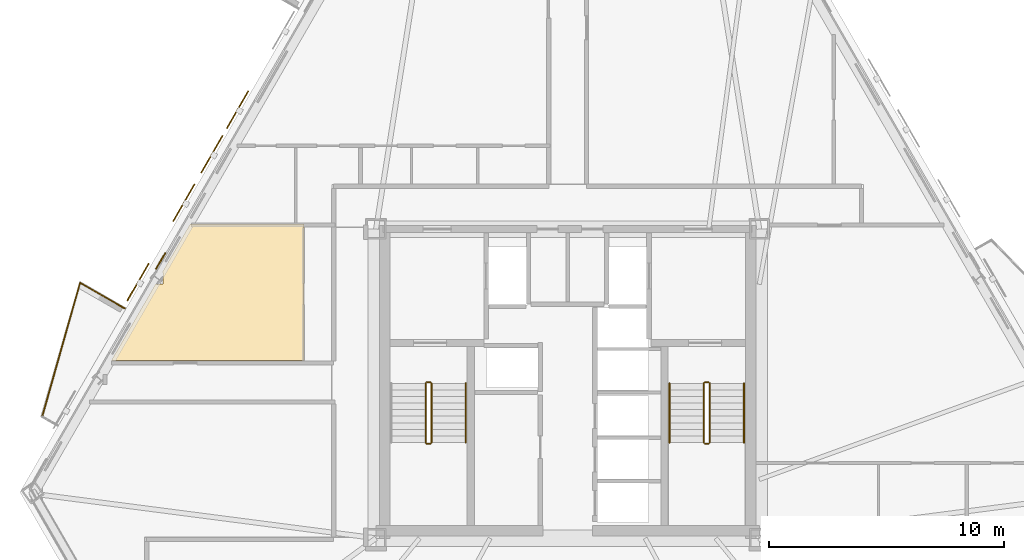
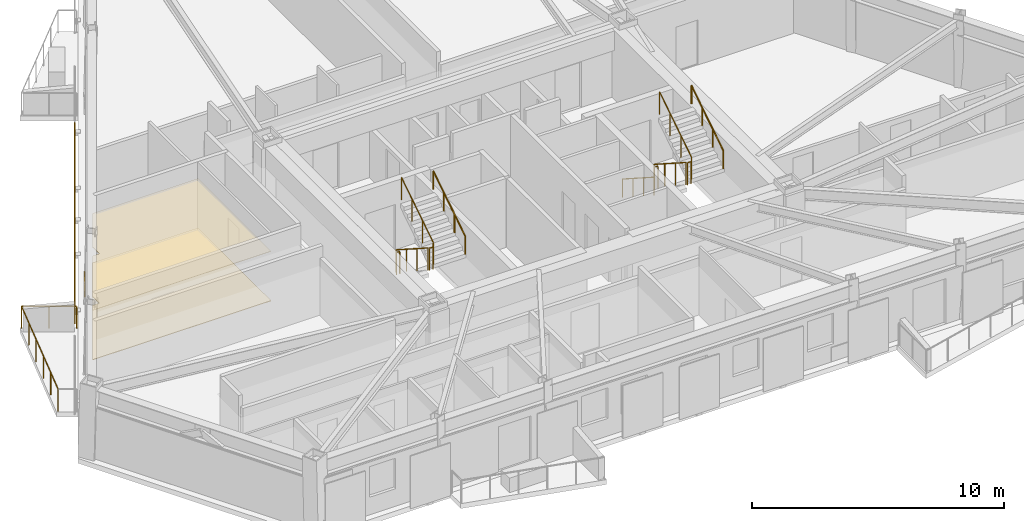
# One storey, part 8 of 9: 13 railings, 4 shading devices, 3 coverings.
"""IFC4 building model written with IfcOpenShell, lengths in metres."""

import ifcopenshell
import ifcopenshell.guid

model = None  # the IFC model being written
_history = None  # IfcOwnerHistory: only IFC2X3 demands one
_inside = {}  # id of a spatial element -> (the spatial element, [elements in it])
_under = {}  # id of a project, library or spatial element -> (it, [spatial elements below it])
_declared = {}  # id of a project -> (the project, [libraries it declares])
_typed = {}  # id of a type object -> (the type object, [elements of that type])
_made_of = {}  # id of a material, layer set ... -> (it, [elements and type objects made of it])


def new_model(schema):
    """Start an empty IFC model of exactly this schema.

    Asked for "IFC4X3", IfcOpenShell would pick the latest addendum, in which some entities
    have other attributes; the version numbers below select the first issue.
    IFC2X3 requires an IfcOwnerHistory on every rooted entity: one is made here for all.
    """
    global model, _history
    if schema == "IFC4X3":
        model = ifcopenshell.file(schema_version=(4, 3, 0, 0))
    else:
        model = ifcopenshell.file(schema=schema)
    _inside.clear()
    _under.clear()
    _declared.clear()
    _typed.clear()
    _made_of.clear()
    _history = None
    if model.schema == "IFC2X3":
        org = make("IfcOrganization", Name="unknown")
        user = make(
            "IfcPersonAndOrganization",
            ThePerson=make("IfcPerson", FamilyName="unknown"),
            TheOrganization=org,
        )
        app = make(
            "IfcApplication",
            ApplicationDeveloper=org,
            Version="unknown",
            ApplicationFullName="unknown",
            ApplicationIdentifier="unknown",
        )
        _history = make(
            "IfcOwnerHistory",
            OwningUser=user,
            OwningApplication=app,
            ChangeAction="ADDED",
            CreationDate=0,
        )
    return model


def make(cls, **values):
    """One entity of the class cls with the attributes given. An attribute that is None is left unset."""
    return model.create_entity(
        cls, **{name: value for name, value in values.items() if value is not None}
    )


def rooted(cls, **values):
    """An entity with a GlobalId (a new one), such as an element, a storey or a relation."""
    return make(cls, GlobalId=ifcopenshell.guid.new(), OwnerHistory=_history, **values)


def si_unit(unit_type, name, prefix=None):
    """IfcSIUnit, for example si_unit("LENGTHUNIT", "METRE", prefix="MILLI")."""
    return make("IfcSIUnit", UnitType=unit_type, Prefix=prefix, Name=name)


def assignment(units):
    """IfcUnitAssignment: the units of a project."""
    return None if units is None else make("IfcUnitAssignment", Units=units)


def point(xyz):
    """IfcCartesianPoint."""
    return None if xyz is None else make("IfcCartesianPoint", Coordinates=xyz)


def direction(xyz):
    """IfcDirection."""
    return None if xyz is None else make("IfcDirection", DirectionRatios=xyz)


def frame(location, z_axis=None, x_axis=None):
    """IfcAxis2Placement3D, a coordinate frame: its origin and axes. An axis left out is left unset."""
    return make(
        "IfcAxis2Placement3D",
        Location=point(location),
        Axis=direction(z_axis),
        RefDirection=direction(x_axis),
    )


def frame_2d(location, x_axis=None):
    """IfcAxis2Placement2D, a coordinate frame in the plane: its origin and x axis."""
    return make(
        "IfcAxis2Placement2D", Location=point(location), RefDirection=direction(x_axis)
    )


def origin():
    """The frame at (0, 0, 0) with its axes left unset."""
    return frame((0.0, 0.0, 0.0))


def origin_2d():
    """The frame at (0, 0) in the plane with its x axis left unset."""
    return frame_2d((0.0, 0.0))


def place(relative_to, where):
    """IfcLocalPlacement: puts the frame where relative to a parent placement (None: the world)."""
    return make(
        "IfcLocalPlacement", PlacementRelTo=relative_to, RelativePlacement=where
    )


def context(
    kind, dimensions, precision=None, world=None, true_north=None, identifier=None
):
    """IfcGeometricRepresentationContext, for example the 3D "Model" context."""
    return make(
        "IfcGeometricRepresentationContext",
        ContextIdentifier=identifier,
        ContextType=kind,
        CoordinateSpaceDimension=dimensions,
        Precision=precision,
        WorldCoordinateSystem=world,
        TrueNorth=true_north,
    )


def subcontext(parent, identifier, kind, view, scale=None):
    """IfcGeometricRepresentationSubContext, for example "Body" below "Model"."""
    return make(
        "IfcGeometricRepresentationSubContext",
        ContextIdentifier=identifier,
        ContextType=kind,
        ParentContext=parent,
        TargetScale=scale,
        TargetView=view,
    )


def project(units=None, contexts=None):
    """IfcProject with its units and contexts."""
    return rooted(
        "IfcProject",
        Name="project",
        RepresentationContexts=contexts,
        UnitsInContext=assignment(units),
    )


def spatial(cls, under=None, at=None, **own):
    """A site, building, storey or space (cls), placed at a placement, below another one or the project."""
    s = rooted(cls, ObjectPlacement=at, **own)
    if under is not None:
        _under.setdefault(under.id(), (under, []))[1].append(s)
    return s


def polyline(points):
    """IfcPolyline through the points."""
    return make("IfcPolyline", Points=[point(p) for p in points])


def profile(cls, at=None, kind="AREA", **sizes):
    """A parametric profile (cls). Its sizes go by their IFC names, for example OverallWidth=200.0."""
    return make(cls, ProfileType=kind, Position=at, **sizes)


def rectangle(**sizes):
    """IfcRectangleProfileDef."""
    return profile("IfcRectangleProfileDef", **sizes)


def circle(**sizes):
    """IfcCircleProfileDef."""
    return profile("IfcCircleProfileDef", **sizes)


def outline(outer, holes=None, kind="AREA"):
    """IfcArbitraryClosedProfileDef: a profile drawn as a closed curve; with holes, ...WithVoids."""
    if holes is None:
        return make("IfcArbitraryClosedProfileDef", ProfileType=kind, OuterCurve=outer)
    return make(
        "IfcArbitraryProfileDefWithVoids",
        ProfileType=kind,
        OuterCurve=outer,
        InnerCurves=holes,
    )


def extrude(swept, where, along, depth):
    """IfcExtrudedAreaSolid: the profile swept, set in the frame where, extruded along a direction by depth."""
    return make(
        "IfcExtrudedAreaSolid",
        SweptArea=swept,
        Position=where,
        ExtrudedDirection=direction(along),
        Depth=depth,
    )


def shape(context_of_items, identifier, shape_type, items):
    """IfcShapeRepresentation: the items that make up one representation, for example the "Body"."""
    return make(
        "IfcShapeRepresentation",
        ContextOfItems=context_of_items,
        RepresentationIdentifier=identifier,
        RepresentationType=shape_type,
        Items=items,
    )


def material(Name=None, Category=None):
    """IfcMaterial."""
    return make("IfcMaterial", Name=Name, Category=Category)


def layer(
    of_material, thickness, ventilated=None, Name=None, Category=None, Priority=None
):
    """IfcMaterialLayer: one layer of a wall or slab, of a material (None: an air gap)."""
    return make(
        "IfcMaterialLayer",
        Material=of_material,
        LayerThickness=thickness,
        IsVentilated=ventilated,
        Name=Name,
        Category=Category,
        Priority=Priority,
    )


def layer_set(layers, Name=None):
    """IfcMaterialLayerSet."""
    return make("IfcMaterialLayerSet", MaterialLayers=layers, LayerSetName=Name)


def made_of(thing, what):
    """Note that an element or type object is made of a material, layer set ...; save() writes the relation."""
    if what is not None:
        _made_of.setdefault(what.id(), (what, []))[1].append(thing)
    return thing


def type_object(cls, material=None, **own):
    """A type object (cls), such as IfcWallType, which elements share."""
    return made_of(rooted(cls, **own), material)


def element(
    cls,
    number,
    at=None,
    inside=None,
    cuts=None,
    type_object=None,
    material=None,
    context=None,
    identifier="Body",
    shape_type=None,
    held_by="IfcProductDefinitionShape",
    body=None,
    shapes=None,
    **own,
):
    """One element of the class cls, such as IfcWall. Its Tag is "e" and its number.

    at: its placement. inside: the storey or other place that contains it. cuts: it is an
    opening in that element (IfcRelVoidsElement). A single representation is given by context,
    identifier, shape_type and body (its items); several are given by shapes. held_by: the class
    of the entity that holds the representations. save() writes the other relations.
    """
    e = rooted(cls, Tag="e%d" % number, ObjectPlacement=at, **own)
    if body is not None:
        shapes = [shape(context, identifier, shape_type, body)]
    if shapes is not None:
        e.Representation = make(held_by, Representations=shapes)
    if inside is not None:
        _inside.setdefault(inside.id(), (inside, []))[1].append(e)
    if cuts is not None:
        rooted(
            "IfcRelVoidsElement", RelatingBuildingElement=cuts, RelatedOpeningElement=e
        )
    if type_object is not None:
        _typed.setdefault(type_object.id(), (type_object, []))[1].append(e)
    return made_of(e, material)


def aggregate(whole, parts):
    """IfcRelAggregates: a whole, such as a stair, and the parts it consists of."""
    return rooted("IfcRelAggregates", RelatingObject=whole, RelatedObjects=parts)


def save(model, path):
    """Write the relations noted so far, then the file.

    IfcRelAggregates (storeys below a building ...), IfcRelContainedInSpatialStructure (elements
    in a storey), IfcRelDefinesByType, IfcRelAssociatesMaterial and IfcRelDeclares: one each for
    every whole, place, type object, material and project.
    """
    for whole, parts in _under.values():
        aggregate(whole, parts)
    for where, things in _inside.values():
        rooted(
            "IfcRelContainedInSpatialStructure",
            RelatedElements=things,
            RelatingStructure=where,
        )
    for kind, things in _typed.values():
        rooted("IfcRelDefinesByType", RelatedObjects=things, RelatingType=kind)
    for what, things in _made_of.values():
        rooted("IfcRelAssociatesMaterial", RelatedObjects=things, RelatingMaterial=what)
    for by, libraries in _declared.values():
        rooted("IfcRelDeclares", RelatingContext=by, RelatedDefinitions=libraries)
    model.write(path)


model = new_model("IFC4")

# Units and contexts
model_context = context("Model", 3, precision=1e-05, world=origin(), true_north=direction((0.0, 1.0)))
body_context = subcontext(model_context, "Body", "Model", "MODEL_VIEW")
ifc_project = project(units=[si_unit("LENGTHUNIT", "METRE"), si_unit("AREAUNIT", "SQUARE_METRE"), si_unit("VOLUMEUNIT", "CUBIC_METRE"), si_unit("PLANEANGLEUNIT", "RADIAN"), si_unit("MASSUNIT", "GRAM", prefix="KILO")], contexts=[model_context])

# Site, building, storey
site_placement = place(None, origin())
site = spatial("IfcSite", under=ifc_project, at=site_placement, CompositionType="ELEMENT")
building_placement = place(site_placement, origin())
building = spatial("IfcBuilding", under=site, at=building_placement, Name="Oramaril Tower", CompositionType="ELEMENT")
storey_placement = place(building_placement, frame((0.0, 0.0, 130.199951171875)))
storey = spatial("IfcBuildingStorey", under=building, at=storey_placement, Name="L34", CompositionType="ELEMENT", Elevation=130.199951171875)

# Coverings
ifc_material_1 = material(Name="Mineral Fibre Acoustic Ceiling")
ifc_layer_1 = layer(ifc_material_1, 0.02001953125)
ifc_layer_set_1 = layer_set([ifc_layer_1], Name="CVT-CEIL")
covering_type_1 = type_object("IfcCoveringType", Name="CVT-CEIL", PredefinedType="CEILING", material=ifc_layer_set_1)
covering_1_placement = place(storey_placement, frame((0.0, 0.0, 2.400146484375)))
element("IfcCovering", 1, at=covering_1_placement, inside=storey, type_object=covering_type_1, Name="L34 Acoustic Suspended Ceiling 16", PredefinedType="CEILING", context=body_context, shape_type="SweptSolid", body=[
    extrude(outline(polyline([(20.2958984375, 21.81103515625), (20.2958984375, 22.309814453125), (20.263671875, 22.309814453125), (21.448486328125, 24.362060546875), (26.291015625, 24.362060546875), (26.291015625, 18.550048828125), (18.093017578125, 18.550048828125), (19.9755859375, 21.81103515625), (20.2958984375, 21.81103515625)])), origin(), (0.0, 0.0, 1.0), 0.02001953125),
])
ifc_material_2 = material(Name="Warm Cream Limestone", Category="masonry")
ifc_layer_2 = layer(ifc_material_2, 0.050048828125)
ifc_layer_set_2 = layer_set([ifc_layer_2], Name="CVT-CLD")
covering_type_2 = type_object("IfcCoveringType", Name="CVT-CLD", PredefinedType="CLADDING", material=ifc_layer_set_2)
covering_2_placement = place(storey_placement, frame((20.194091796875, 22.79150390625, 0.0400390625), z_axis=(0.0, 0.0, 1.0), x_axis=(-0.4999984885, -0.866026276448, 0.0)))
element("IfcCovering", 2, at=covering_2_placement, inside=storey, type_object=covering_type_2, Name="L34 Warm Cream Limestone Spandrel Cladding", PredefinedType="CLADDING", context=body_context, shape_type="SweptSolid", body=[
    extrude(rectangle(XDim=0.800048828125, YDim=0.050048828125, at=origin_2d()), origin(), (0.0, 0.0, 1.0), 0.679931640625),
])
ifc_material_3 = material(Name="Honed Quartzite Stone Flooring", Category="masonry")
ifc_layer_3 = layer(ifc_material_3, 0.02490234375)
ifc_layer_set_3 = layer_set([ifc_layer_3], Name="CVT-FLR")
covering_type_3 = type_object("IfcCoveringType", Name="CVT-FLR", PredefinedType="FLOORING", material=ifc_layer_set_3)
covering_3_placement = place(storey_placement, origin())
element("IfcCovering", 3, at=covering_3_placement, inside=storey, type_object=covering_type_3, Name="L34 Honed Stone Floor Finish 16", PredefinedType="FLOORING", context=body_context, shape_type="SweptSolid", body=[
    extrude(outline(polyline([(20.2958984375, 21.81103515625), (20.2958984375, 22.309814453125), (20.263671875, 22.309814453125), (21.448486328125, 24.362060546875), (26.291015625, 24.362060546875), (26.291015625, 18.550048828125), (18.093017578125, 18.550048828125), (19.9755859375, 21.81103515625), (20.2958984375, 21.81103515625)])), origin(), (0.0, 0.0, 1.0), 0.025146484375),
])

# Railings
ifc_material_4 = material(Name="Stainless Steel 316L", Category="steel")
railing_type_1 = type_object("IfcRailingType", Name="RLT-GRD", PredefinedType="GUARDRAIL", material=ifc_material_4)
railing_1_placement = place(storey_placement, frame((15.156494140625, 16.18017578125, 0.0)))
element("IfcRailing", 4, at=railing_1_placement, inside=storey, type_object=railing_type_1, Name="L34 Balcony Guardrail L34-BAL-NW2.2", PredefinedType="GUARDRAIL", context=body_context, shape_type="SweptSolid", body=[
    extrude(circle(Radius=0.02392578125, at=origin_2d()), frame((0.0, 0.0, 1.076171875), z_axis=(0.272287109361, 0.962216051662, 0.0), x_axis=(-0.962216051662, 0.272287109361, 0.0)), (0.0, 0.0, 1.0), 5.91064453125),
    extrude(circle(Radius=0.02099609375, at=origin_2d()), origin(), (0.0, 0.0, 1.0), 1.052001953125),
    extrude(circle(Radius=0.02099609375, at=origin_2d()), frame((0.32177734375, 1.137451171875, 0.0)), (0.0, 0.0, 1.0), 1.052001953125),
    extrude(circle(Radius=0.02099609375, at=origin_2d()), frame((0.643798828125, 2.27490234375, 0.0)), (0.0, 0.0, 1.0), 1.052001953125),
    extrude(circle(Radius=0.02099609375, at=origin_2d()), frame((0.965576171875, 3.412353515625, 0.0)), (0.0, 0.0, 1.0), 1.052001953125),
    extrude(circle(Radius=0.02099609375, at=origin_2d()), frame((1.28759765625, 4.5498046875, 0.0)), (0.0, 0.0, 1.0), 1.052001953125),
    extrude(circle(Radius=0.02099609375, at=origin_2d()), frame((1.609375, 5.687255859375, 0.0)), (0.0, 0.0, 1.0), 1.052001953125),
])
railing_2_placement = place(storey_placement, frame((16.765869140625, 21.867431640625, 0.0)))
element("IfcRailing", 5, at=railing_2_placement, inside=storey, type_object=railing_type_1, Name="L34 Balcony Guardrail L34-BAL-NW2.3", PredefinedType="GUARDRAIL", context=body_context, shape_type="SweptSolid", body=[
    extrude(circle(Radius=0.02392578125, at=origin_2d()), frame((0.0, 0.0, 1.076171875), z_axis=(0.866020500697, -0.5000084923, 0.0), x_axis=(0.5000084923, 0.866020500697, 0.0)), (0.0, 0.0, 1.0), 2.19189453125),
    extrude(circle(Radius=0.02099609375, at=origin_2d()), origin(), (0.0, 0.0, 1.0), 1.052001953125),
    extrude(circle(Radius=0.02099609375, at=origin_2d()), frame((0.94921875, -0.5478515625, 0.0)), (0.0, 0.0, 1.0), 1.052001953125),
    extrude(circle(Radius=0.02099609375, at=origin_2d()), frame((1.898193359375, -1.095947265625, 0.0)), (0.0, 0.0, 1.0), 1.052001953125),
])
railing_3_placement = place(storey_placement, frame((31.4599609375, 17.590087890625, 0.179931640625)))
element("IfcRailing", 6, at=railing_3_placement, inside=storey, type_object=railing_type_1, Name="L34 ST-1 stair guard 1", PredefinedType="GUARDRAIL", context=body_context, shape_type="SweptSolid", body=[
    extrude(circle(Radius=0.02392578125, at=origin_2d()), frame((0.0, 0.0, 1.076171875), z_axis=(0.0, -0.841162588446, 0.540782303519), x_axis=(1.0, 0.0, 0.0)), (0.0, 0.0, 1.0), 2.995849609375),
    extrude(circle(Radius=0.02099609375, at=origin_2d()), origin(), (0.0, 0.0, 1.0), 1.052001953125),
    extrude(circle(Radius=0.02099609375, at=origin_2d()), frame((0.0, -0.840087890625, 0.5400390625)), (0.0, 0.0, 1.0), 1.052001953125),
    extrude(circle(Radius=0.02099609375, at=origin_2d()), frame((0.0, -1.679931640625, 1.080078125)), (0.0, 0.0, 1.0), 1.052001953125),
    extrude(circle(Radius=0.02099609375, at=origin_2d()), frame((0.0, -2.52001953125, 1.6201171875)), (0.0, 0.0, 1.0), 1.052001953125),
])
railing_4_placement = place(storey_placement, frame((31.510009765625, 15.02001953125, 1.800048828125)))
element("IfcRailing", 7, at=railing_4_placement, inside=storey, type_object=railing_type_1, Name="L34 ST-1 stair guard 2", PredefinedType="GUARDRAIL", context=body_context, shape_type="SweptSolid", body=[
    extrude(circle(Radius=0.02392578125, at=origin_2d()), frame((0.0, 0.0, 1.076171875), z_axis=(1.0, 0.0, 0.0), x_axis=(0.0, 1.0, 0.0)), (0.0, 0.0, 1.0), 0.14990234375),
    extrude(circle(Radius=0.02099609375, at=origin_2d()), origin(), (0.0, 0.0, 1.0), 1.052001953125),
    extrude(circle(Radius=0.02099609375, at=origin_2d()), frame((0.14990234375, 0.0, 0.0)), (0.0, 0.0, 1.0), 1.052001953125),
])
railing_5_placement = place(storey_placement, frame((31.7099609375, 15.070068359375, 1.97998046875)))
element("IfcRailing", 8, at=railing_5_placement, inside=storey, type_object=railing_type_1, Name="L34 ST-1 stair guard 3", PredefinedType="GUARDRAIL", context=body_context, shape_type="SweptSolid", body=[
    extrude(circle(Radius=0.02392578125, at=origin_2d()), frame((0.0, 0.0, 1.076171875), z_axis=(0.0, 0.841162588446, 0.540782303519), x_axis=(-1.0, 0.0, 0.0)), (0.0, 0.0, 1.0), 2.995849609375),
    extrude(circle(Radius=0.02099609375, at=origin_2d()), origin(), (0.0, 0.0, 1.0), 1.052001953125),
    extrude(circle(Radius=0.02099609375, at=origin_2d()), frame((0.0, 0.840087890625, 0.5400390625)), (0.0, 0.0, 1.0), 1.052001953125),
    extrude(circle(Radius=0.02099609375, at=origin_2d()), frame((0.0, 1.679931640625, 1.080078125)), (0.0, 0.0, 1.0), 1.052001953125),
    extrude(circle(Radius=0.02099609375, at=origin_2d()), frame((0.0, 2.52001953125, 1.6201171875)), (0.0, 0.0, 1.0), 1.052001953125),
])
railing_6_placement = place(storey_placement, frame((31.510009765625, 17.639892578125, 0.0)))
element("IfcRailing", 9, at=railing_6_placement, inside=storey, type_object=railing_type_1, Name="L34 ST-1 stair guard 4", PredefinedType="GUARDRAIL", context=body_context, shape_type="SweptSolid", body=[
    extrude(circle(Radius=0.02392578125, at=origin_2d()), frame((0.0, 0.0, 1.076171875), z_axis=(1.0, 0.0, 0.0), x_axis=(0.0, 1.0, 0.0)), (0.0, 0.0, 1.0), 0.14990234375),
    extrude(circle(Radius=0.02099609375, at=origin_2d()), origin(), (0.0, 0.0, 1.0), 1.052001953125),
    extrude(circle(Radius=0.02099609375, at=origin_2d()), frame((0.14990234375, 0.0, 0.0)), (0.0, 0.0, 1.0), 1.052001953125),
])
railing_7_placement = place(storey_placement, frame((43.2900390625, 17.590087890625, 0.179931640625)))
element("IfcRailing", 10, at=railing_7_placement, inside=storey, type_object=railing_type_1, Name="L34 ST-2 stair guard 1", PredefinedType="GUARDRAIL", context=body_context, shape_type="SweptSolid", body=[
    extrude(circle(Radius=0.02392578125, at=origin_2d()), frame((0.0, 0.0, 1.076171875), z_axis=(0.0, -0.841162588446, 0.540782303519), x_axis=(1.0, 0.0, 0.0)), (0.0, 0.0, 1.0), 2.995849609375),
    extrude(circle(Radius=0.02099609375, at=origin_2d()), origin(), (0.0, 0.0, 1.0), 1.052001953125),
    extrude(circle(Radius=0.02099609375, at=origin_2d()), frame((0.0, -0.840087890625, 0.5400390625)), (0.0, 0.0, 1.0), 1.052001953125),
    extrude(circle(Radius=0.02099609375, at=origin_2d()), frame((0.0, -1.679931640625, 1.080078125)), (0.0, 0.0, 1.0), 1.052001953125),
    extrude(circle(Radius=0.02099609375, at=origin_2d()), frame((0.0, -2.52001953125, 1.6201171875)), (0.0, 0.0, 1.0), 1.052001953125),
])
railing_8_placement = place(storey_placement, frame((43.340087890625, 15.02001953125, 1.800048828125)))
element("IfcRailing", 11, at=railing_8_placement, inside=storey, type_object=railing_type_1, Name="L34 ST-2 stair guard 2", PredefinedType="GUARDRAIL", context=body_context, shape_type="SweptSolid", body=[
    extrude(circle(Radius=0.02392578125, at=origin_2d()), frame((0.0, 0.0, 1.076171875), z_axis=(1.0, 0.0, 0.0), x_axis=(0.0, 1.0, 0.0)), (0.0, 0.0, 1.0), 0.14990234375),
    extrude(circle(Radius=0.02099609375, at=origin_2d()), origin(), (0.0, 0.0, 1.0), 1.052001953125),
    extrude(circle(Radius=0.02099609375, at=origin_2d()), frame((0.14990234375, 0.0, 0.0)), (0.0, 0.0, 1.0), 1.052001953125),
])
railing_9_placement = place(storey_placement, frame((43.5400390625, 15.070068359375, 1.97998046875)))
element("IfcRailing", 12, at=railing_9_placement, inside=storey, type_object=railing_type_1, Name="L34 ST-2 stair guard 3", PredefinedType="GUARDRAIL", context=body_context, shape_type="SweptSolid", body=[
    extrude(circle(Radius=0.02392578125, at=origin_2d()), frame((0.0, 0.0, 1.076171875), z_axis=(0.0, 0.841162588446, 0.540782303519), x_axis=(-1.0, 0.0, 0.0)), (0.0, 0.0, 1.0), 2.995849609375),
    extrude(circle(Radius=0.02099609375, at=origin_2d()), origin(), (0.0, 0.0, 1.0), 1.052001953125),
    extrude(circle(Radius=0.02099609375, at=origin_2d()), frame((0.0, 0.840087890625, 0.5400390625)), (0.0, 0.0, 1.0), 1.052001953125),
    extrude(circle(Radius=0.02099609375, at=origin_2d()), frame((0.0, 1.679931640625, 1.080078125)), (0.0, 0.0, 1.0), 1.052001953125),
    extrude(circle(Radius=0.02099609375, at=origin_2d()), frame((0.0, 2.52001953125, 1.6201171875)), (0.0, 0.0, 1.0), 1.052001953125),
])
railing_10_placement = place(storey_placement, frame((43.340087890625, 17.639892578125, 0.0)))
element("IfcRailing", 13, at=railing_10_placement, inside=storey, type_object=railing_type_1, Name="L34 ST-2 stair guard 4", PredefinedType="GUARDRAIL", context=body_context, shape_type="SweptSolid", body=[
    extrude(circle(Radius=0.02392578125, at=origin_2d()), frame((0.0, 0.0, 1.076171875), z_axis=(1.0, 0.0, 0.0), x_axis=(0.0, 1.0, 0.0)), (0.0, 0.0, 1.0), 0.14990234375),
    extrude(circle(Radius=0.02099609375, at=origin_2d()), origin(), (0.0, 0.0, 1.0), 1.052001953125),
    extrude(circle(Radius=0.02099609375, at=origin_2d()), frame((0.14990234375, 0.0, 0.0)), (0.0, 0.0, 1.0), 1.052001953125),
])
ifc_material_5 = material(Name="Stainless Steel 316L", Category="steel")
railing_type_2 = type_object("IfcRailingType", Name="RLT-HND", PredefinedType="HANDRAIL", material=ifc_material_5)
railing_11_placement = place(storey_placement, frame((33.169921875, 15.070068359375, 1.97998046875)))
element("IfcRailing", 14, at=railing_11_placement, inside=storey, type_object=railing_type_2, Name="L34 ST-1 stair handrail 2", PredefinedType="HANDRAIL", context=body_context, shape_type="SweptSolid", body=[
    extrude(circle(Radius=0.02392578125, at=origin_2d()), frame((0.0, 0.0, 0.8759765625), z_axis=(0.0, 0.841162588446, 0.540782303519), x_axis=(-1.0, 0.0, 0.0)), (0.0, 0.0, 1.0), 2.995849609375),
    extrude(circle(Radius=0.02099609375, at=origin_2d()), origin(), (0.0, 0.0, 1.0), 0.851806640625),
    extrude(circle(Radius=0.02099609375, at=origin_2d()), frame((0.0, 0.840087890625, 0.5400390625)), (0.0, 0.0, 1.0), 0.851806640625),
    extrude(circle(Radius=0.02099609375, at=origin_2d()), frame((0.0, 1.679931640625, 1.080078125)), (0.0, 0.0, 1.0), 0.851806640625),
    extrude(circle(Radius=0.02099609375, at=origin_2d()), frame((0.0, 2.52001953125, 1.6201171875)), (0.0, 0.0, 1.0), 0.851806640625),
])
railing_12_placement = place(storey_placement, frame((41.830078125, 17.590087890625, 0.179931640625)))
element("IfcRailing", 15, at=railing_12_placement, inside=storey, type_object=railing_type_2, Name="L34 ST-2 stair handrail 1", PredefinedType="HANDRAIL", context=body_context, shape_type="SweptSolid", body=[
    extrude(circle(Radius=0.02392578125, at=origin_2d()), frame((0.0, 0.0, 0.8759765625), z_axis=(0.0, -0.841162588446, 0.540782303519), x_axis=(1.0, 0.0, 0.0)), (0.0, 0.0, 1.0), 2.995849609375),
    extrude(circle(Radius=0.02099609375, at=origin_2d()), origin(), (0.0, 0.0, 1.0), 0.851806640625),
    extrude(circle(Radius=0.02099609375, at=origin_2d()), frame((0.0, -0.840087890625, 0.5400390625)), (0.0, 0.0, 1.0), 0.851806640625),
    extrude(circle(Radius=0.02099609375, at=origin_2d()), frame((0.0, -1.679931640625, 1.080078125)), (0.0, 0.0, 1.0), 0.851806640625),
    extrude(circle(Radius=0.02099609375, at=origin_2d()), frame((0.0, -2.52001953125, 1.6201171875)), (0.0, 0.0, 1.0), 0.851806640625),
])
railing_13_placement = place(storey_placement, frame((45.0, 15.070068359375, 1.97998046875)))
element("IfcRailing", 16, at=railing_13_placement, inside=storey, type_object=railing_type_2, Name="L34 ST-2 stair handrail 2", PredefinedType="HANDRAIL", context=body_context, shape_type="SweptSolid", body=[
    extrude(circle(Radius=0.02392578125, at=origin_2d()), frame((0.0, 0.0, 0.8759765625), z_axis=(0.0, 0.841162588446, 0.540782303519), x_axis=(-1.0, 0.0, 0.0)), (0.0, 0.0, 1.0), 2.995849609375),
    extrude(circle(Radius=0.02099609375, at=origin_2d()), origin(), (0.0, 0.0, 1.0), 0.851806640625),
    extrude(circle(Radius=0.02099609375, at=origin_2d()), frame((0.0, 0.840087890625, 0.5400390625)), (0.0, 0.0, 1.0), 0.851806640625),
    extrude(circle(Radius=0.02099609375, at=origin_2d()), frame((0.0, 1.679931640625, 1.080078125)), (0.0, 0.0, 1.0), 0.851806640625),
    extrude(circle(Radius=0.02099609375, at=origin_2d()), frame((0.0, 2.52001953125, 1.6201171875)), (0.0, 0.0, 1.0), 0.851806640625),
])

# Shading devices
for number, where, z_axis, x_axis, name in (
    (17, (21.17919921875, 25.271484375, -0.02001953125), (0.0, 0.0, 1.0), (-0.4999984885, -0.866026276448, 0.0), "L34 Perforated Ceramic Solar Screen"),
    (18, (19.229248046875, 21.89404296875, -0.02001953125), (0.0, 0.0, 1.0), (-0.4999984885, -0.866026276448, 0.0), "L34 Perforated Ceramic Solar Screen"),
    (19, (23.46240234375, 29.226318359375, -0.02001953125), (0.0, 0.0, 1.0), (-0.4999984885, -0.866026276448, 0.0), "L34 Perforated Ceramic Solar Screen"),
    (20, (22.370849609375, 27.335693359375, -0.02001953125), (0.0, 0.0, 1.0), (-0.4999984885, -0.866026276448, 0.0), "L34 Perforated Ceramic Solar Screen"),
):
    element("IfcShadingDevice", number, at=place(storey_placement, frame(where, z_axis=z_axis, x_axis=x_axis)), inside=storey, Name=name, ObjectType="SCREEN", PredefinedType="USERDEFINED", context=body_context, shape_type="SweptSolid", body=[
        extrude(rectangle(XDim=1.8330078125, YDim=0.050048828125, at=origin_2d()), origin(), (0.0, 0.0, 1.0), 2.55810546875),
    ])

save(model, "model.ifc")
